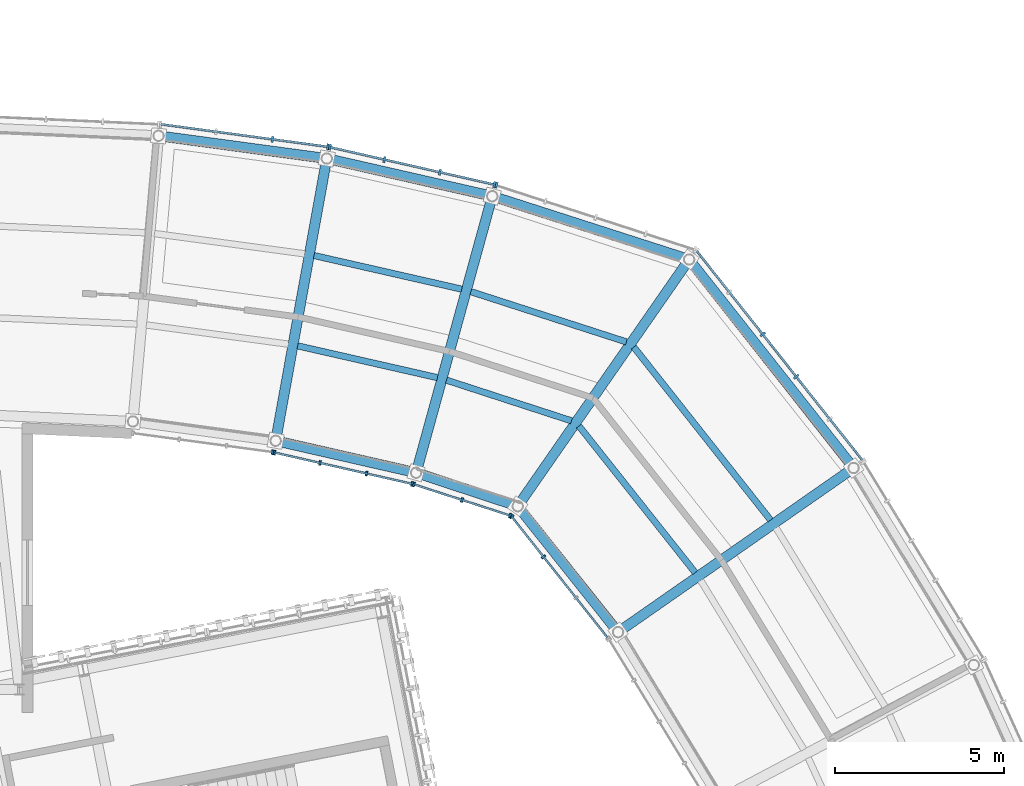
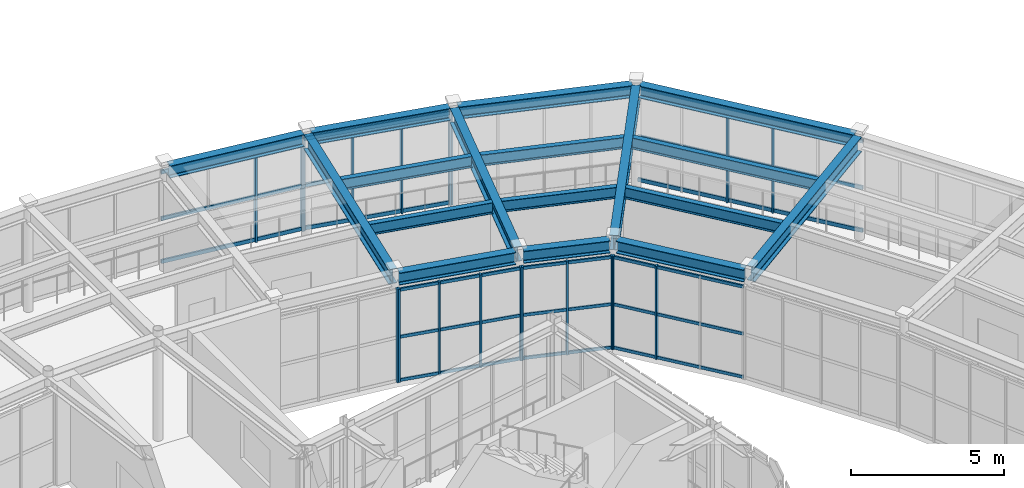
# One storey, part 48 of 103: 37 members, 17 beams, 8 elements without a shape of their own.
"""IFC4 building model written with IfcOpenShell, lengths in metres."""

from ifc_helpers import new_model, si_unit, direction, frame, origin, origin_2d, place, context, subcontext, project, spatial, rectangle, i_section, extrude, material, material_profile, profile_set, type_object, element, aggregate, save


model = new_model("IFC4")

# Units and contexts
model_context = context("Model", 3, precision=1e-05, world=origin(), true_north=direction((0.0, 1.0)))
body_context = subcontext(model_context, "Body", "Model", "MODEL_VIEW")
ifc_project = project(units=[si_unit("LENGTHUNIT", "METRE"), si_unit("AREAUNIT", "SQUARE_METRE"), si_unit("VOLUMEUNIT", "CUBIC_METRE"), si_unit("PLANEANGLEUNIT", "RADIAN"), si_unit("MASSUNIT", "GRAM", prefix="KILO")], contexts=[model_context])

# Site, building, storey
site_placement = place(None, origin())
site = spatial("IfcSite", under=ifc_project, at=site_placement, CompositionType="ELEMENT")
building_placement = place(site_placement, origin())
building = spatial("IfcBuilding", under=site, at=building_placement, Name="Varnklinge Art Gallery", CompositionType="ELEMENT")
storey_placement = place(building_placement, frame((0.0, 0.0, 5.10009765625)))
storey = spatial("IfcBuildingStorey", under=building, at=storey_placement, Name="L01", CompositionType="ELEMENT", Elevation=5.10009765625)

# Beams
ifc_material_1 = material(Name="Steel S355", Category="steel")
ifc_material_profile_1 = material_profile(ifc_material_1, i_section(OverallWidth=0.300048828125, OverallDepth=0.590087890625, WebThickness=0.012939453125, FlangeThickness=0.02490234375, FilletRadius=0.027099609375, at=origin_2d()), Name="HEA 600")
ifc_profile_set_1 = profile_set([ifc_material_profile_1], Name="Steel S355")
beam_type_1 = type_object("IfcBeamType", Name="BM-06", PredefinedType="BEAM", material=ifc_profile_set_1)
beam_1_placement = place(storey_placement, frame((101.03515625, 87.0947265625, 3.885009765625), z_axis=(-0.820324852304, -0.571897837635, 0.0), x_axis=(0.571897837635, -0.820324852304, 0.0)))
element("IfcBeam", 1, at=beam_1_placement, inside=storey, type_object=beam_type_1, Name="L01 BM-06 BM-V2-L02-R12", PredefinedType="BEAM", context=body_context, shape_type="SweptSolid", body=[
    extrude(i_section(OverallWidth=0.300048828125, OverallDepth=0.590087890625, WebThickness=0.012939453125, FlangeThickness=0.02490234375, FilletRadius=0.027099609375, at=origin_2d()), origin(), (0.0, 0.0, 1.0), 8.2373046875),
])
beam_2_placement = place(storey_placement, frame((96.19091796875, 93.244873046875, 3.885009765625), z_axis=(-0.570588727281, -0.821235961402, 0.0), x_axis=(0.821235961402, -0.570588727281, 0.0)))
element("IfcBeam", 2, at=beam_2_placement, inside=storey, type_object=beam_type_1, Name="L01 BM-06 BM-V2-L02-R13", PredefinedType="BEAM", context=body_context, shape_type="SweptSolid", body=[
    extrude(i_section(OverallWidth=0.300048828125, OverallDepth=0.590087890625, WebThickness=0.012939453125, FlangeThickness=0.02490234375, FilletRadius=0.027099609375, at=origin_2d()), origin(), (0.0, 0.0, 1.0), 8.6318359375),
])
for number, where, z_axis, x_axis, name in (
    (3, (90.392578125, 95.102294921875, 3.885009765625), (-0.26537851046, -0.96414430776, 0.0), (0.96414430776, -0.26537851046, 0.0), "L01 BM-06 BM-V2-L02-R14"),
    (4, (85.495361328125, 96.21728515625, 3.885009765625), (-0.178151776958, -0.984003020507, 0.0), (0.984003020507, -0.178151776958, 0.0), "L01 BM-06 BM-V2-L02-R15"),
):
    element("IfcBeam", number, at=place(storey_placement, frame(where, z_axis=z_axis, x_axis=x_axis)), inside=storey, type_object=beam_type_1, Name=name, PredefinedType="BEAM", context=body_context, shape_type="SweptSolid", body=[
        extrude(i_section(OverallWidth=0.300048828125, OverallDepth=0.590087890625, WebThickness=0.012939453125, FlangeThickness=0.02490234375, FilletRadius=0.027099609375, at=origin_2d()), origin(), (0.0, 0.0, 1.0), 8.229248046875),
    ])
ifc_material_2 = material(Name="Steel S355", Category="steel")
ifc_material_profile_2 = material_profile(ifc_material_2, i_section(OverallWidth=0.18994140625, OverallDepth=0.449951171875, WebThickness=0.009521484375, FlangeThickness=0.0146484375, FilletRadius=0.02099609375, at=origin_2d()), Name="IPE 450")
ifc_profile_set_2 = profile_set([ifc_material_profile_2], Name="Steel S355")
beam_type_2 = type_object("IfcBeamType", Name="JST-04", PredefinedType="JOIST", material=ifc_profile_set_2)
beam_3_placement = place(storey_placement, frame((98.6875, 85.62841796875, 3.954833984375), z_axis=(-0.620207823033, 0.784437541331, 0.0), x_axis=(-0.784437541331, -0.620207823033, 0.0)))
element("IfcBeam", 5, at=beam_3_placement, inside=storey, type_object=beam_type_2, Name="L01 JST-04 JST-V2-L02-12-1", PredefinedType="JOIST", context=body_context, shape_type="SweptSolid", body=[
    extrude(i_section(OverallWidth=0.18994140625, OverallDepth=0.449951171875, WebThickness=0.009521484375, FlangeThickness=0.0146484375, FilletRadius=0.02099609375, at=origin_2d()), origin(), (0.0, 0.0, 1.0), 6.5439453125),
])
beam_4_placement = place(storey_placement, frame((96.45166015625, 84.069580078125, 3.954833984375), z_axis=(-0.621380748712, 0.783508752427, 0.0), x_axis=(-0.783508752427, -0.621380748712, 0.0)))
element("IfcBeam", 6, at=beam_4_placement, inside=storey, type_object=beam_type_2, Name="L01 JST-04 JST-V2-L02-12-2", PredefinedType="JOIST", context=body_context, shape_type="SweptSolid", body=[
    extrude(i_section(OverallWidth=0.18994140625, OverallDepth=0.449951171875, WebThickness=0.009521484375, FlangeThickness=0.0146484375, FilletRadius=0.02099609375, at=origin_2d()), origin(), (0.0, 0.0, 1.0), 5.552001953125),
])
beam_5_placement = place(storey_placement, frame((94.40869140625, 90.914306640625, 3.954833984375), z_axis=(-0.951573262441, 0.307422065259, 0.0), x_axis=(-0.307422065259, -0.951573262441, 0.0)))
element("IfcBeam", 7, at=beam_5_placement, inside=storey, type_object=beam_type_2, Name="L01 JST-04 JST-V2-L02-13-1", PredefinedType="JOIST", context=body_context, shape_type="SweptSolid", body=[
    extrude(i_section(OverallWidth=0.18994140625, OverallDepth=0.449951171875, WebThickness=0.009521484375, FlangeThickness=0.0146484375, FilletRadius=0.02099609375, at=origin_2d()), origin(), (0.0, 0.0, 1.0), 4.848388671875),
])
beam_6_placement = place(storey_placement, frame((92.781494140625, 88.57275390625, 3.954833984375), z_axis=(-0.950949393045, 0.309346491603, 0.0), x_axis=(-0.309346491603, -0.950949393045, 0.0)))
element("IfcBeam", 8, at=beam_6_placement, inside=storey, type_object=beam_type_2, Name="L01 JST-04 JST-V2-L02-13-2", PredefinedType="JOIST", context=body_context, shape_type="SweptSolid", body=[
    extrude(i_section(OverallWidth=0.18994140625, OverallDepth=0.449951171875, WebThickness=0.009521484375, FlangeThickness=0.0146484375, FilletRadius=0.02099609375, at=origin_2d()), origin(), (0.0, 0.0, 1.0), 3.900390625),
])
beam_7_placement = place(storey_placement, frame((89.525390625, 92.47900390625, 3.954833984375), z_axis=(-0.975052249235, 0.22197547446, 0.0), x_axis=(-0.22197547446, -0.975052249235, 0.0)))
element("IfcBeam", 9, at=beam_7_placement, inside=storey, type_object=beam_type_2, Name="L01 JST-04 JST-V2-L02-14-1", PredefinedType="JOIST", context=body_context, shape_type="SweptSolid", body=[
    extrude(i_section(OverallWidth=0.18994140625, OverallDepth=0.449951171875, WebThickness=0.009521484375, FlangeThickness=0.0146484375, FilletRadius=0.02099609375, at=origin_2d()), origin(), (0.0, 0.0, 1.0), 4.49609375),
])
beam_8_placement = place(storey_placement, frame((88.802734375, 89.853759765625, 3.954833984375), z_axis=(-0.975058358995, 0.221948634943, 0.0), x_axis=(-0.221948634943, -0.975058358995, 0.0)))
element("IfcBeam", 10, at=beam_8_placement, inside=storey, type_object=beam_type_2, Name="L01 JST-04 JST-V2-L02-14-2", PredefinedType="JOIST", context=body_context, shape_type="SweptSolid", body=[
    extrude(i_section(OverallWidth=0.18994140625, OverallDepth=0.449951171875, WebThickness=0.009521484375, FlangeThickness=0.0146484375, FilletRadius=0.02099609375, at=origin_2d()), origin(), (0.0, 0.0, 1.0), 4.25244140625),
])

# Curtain wall, members
ifc_material_3 = material(Name="Anodised Aluminium", Category="aluminium")
curtain_wall_type_1 = type_object("IfcCurtainWallType", Name="CW-R02", PredefinedType="USERDEFINED", material=ifc_material_3)
curtain_wall_1_placement = place(storey_placement, origin())
curtain_wall_1 = element("IfcCurtainWall", 11, at=curtain_wall_1_placement, inside=storey, type_object=curtain_wall_type_1, Name="L01 Curtain Wall CW-V2O-L01-12", ObjectType="UNITISED CURTAIN WALL", PredefinedType="USERDEFINED")
ifc_material_4 = material(Name="Anodised Aluminium", Category="aluminium")
ifc_material_profile_3 = material_profile(ifc_material_4, rectangle(XDim=0.06494140625, YDim=0.179931640625, at=origin_2d()), Name="ALU 65x180")
ifc_profile_set_3 = profile_set([ifc_material_profile_3], Name="Anodised Aluminium")
member_type_1 = type_object("IfcMemberType", Name="MUL-01", PredefinedType="MULLION", material=ifc_profile_set_3)
member_1_placement = place(storey_placement, frame((99.450439453125, 89.8837890625, 0.0), z_axis=(0.0, 0.0, 1.0), x_axis=(-0.620737354217, 0.784018582101, 0.0)))
member_1 = element("IfcMember", 12, at=member_1_placement, type_object=member_type_1, Name="CW-V2O-L01-12 Mullion 3", PredefinedType="MULLION", context=body_context, shape_type="SweptSolid", body=[
    extrude(rectangle(XDim=0.06494140625, YDim=0.179931640625, at=origin_2d()), origin(), (0.0, 0.0, 1.0), 3.72998046875),
])
member_2_placement = place(storey_placement, frame((98.457275390625, 91.13818359375, 0.0), z_axis=(0.0, 0.0, 1.0), x_axis=(-0.620737354217, 0.784018582101, 0.0)))
member_2 = element("IfcMember", 13, at=member_2_placement, type_object=member_type_1, Name="CW-V2O-L01-12 Mullion 4", PredefinedType="MULLION", context=body_context, shape_type="SweptSolid", body=[
    extrude(rectangle(XDim=0.06494140625, YDim=0.179931640625, at=origin_2d()), origin(), (0.0, 0.0, 1.0), 3.72998046875),
])

# Curtain wall, member
curtain_wall_2_placement = place(storey_placement, origin())
curtain_wall_2 = element("IfcCurtainWall", 14, at=curtain_wall_2_placement, inside=storey, type_object=curtain_wall_type_1, Name="L01 Curtain Wall CW-V2O-L01-13", ObjectType="UNITISED CURTAIN WALL", PredefinedType="USERDEFINED")
member_3_placement = place(storey_placement, frame((90.553466796875, 95.564697265625, 0.0), z_axis=(0.0, 0.0, 1.0), x_axis=(-0.951272019071, 0.30835295642, 0.0)))
member_3 = element("IfcMember", 15, at=member_3_placement, type_object=member_type_1, Name="CW-V2O-L01-13 Mullion 5", PredefinedType="MULLION", context=body_context, shape_type="SweptSolid", body=[
    extrude(rectangle(XDim=0.06494140625, YDim=0.179931640625, at=origin_2d()), origin(), (0.0, 0.0, 1.0), 3.72998046875),
])
aggregate(curtain_wall_2, [member_3])

# Curtain wall, members
ifc_material_5 = material(Name="Anodised Aluminium", Category="aluminium")
curtain_wall_type_2 = type_object("IfcCurtainWallType", Name="CW-R04", PredefinedType="USERDEFINED", material=ifc_material_5)
curtain_wall_3_placement = place(storey_placement, origin())
curtain_wall_3 = element("IfcCurtainWall", 16, at=curtain_wall_3_placement, inside=storey, type_object=curtain_wall_type_2, Name="L01 Curtain Wall CW-V2O-L01-14", ObjectType="UNITISED CURTAIN WALL", PredefinedType="USERDEFINED")
member_4_placement = place(storey_placement, frame((90.490966796875, 95.58203125, 0.0), z_axis=(0.0, 0.0, 1.0), x_axis=(-0.975071959883, 0.221888875454, 0.0)))
member_4 = element("IfcMember", 17, at=member_4_placement, type_object=member_type_1, Name="CW-V2O-L01-14 Mullion 1", PredefinedType="MULLION", context=body_context, shape_type="SweptSolid", body=[
    extrude(rectangle(XDim=0.06494140625, YDim=0.179931640625, at=origin_2d()), origin(), (0.0, 0.0, 1.0), 3.72998046875),
])
member_5_placement = place(storey_placement, frame((88.8759765625, 95.94970703125, 0.0), z_axis=(0.0, 0.0, 1.0), x_axis=(-0.975071959883, 0.221888875454, 0.0)))
member_5 = element("IfcMember", 18, at=member_5_placement, type_object=member_type_1, Name="CW-V2O-L01-14 Mullion 2", PredefinedType="MULLION", context=body_context, shape_type="SweptSolid", body=[
    extrude(rectangle(XDim=0.06494140625, YDim=0.179931640625, at=origin_2d()), origin(), (0.0, 0.0, 1.0), 3.72998046875),
])
member_6_placement = place(storey_placement, frame((87.229248046875, 96.324462890625, 0.0), z_axis=(0.0, 0.0, 1.0), x_axis=(-0.975071959883, 0.221888875454, 0.0)))
member_6 = element("IfcMember", 19, at=member_6_placement, type_object=member_type_1, Name="CW-V2O-L01-14 Mullion 3", PredefinedType="MULLION", context=body_context, shape_type="SweptSolid", body=[
    extrude(rectangle(XDim=0.06494140625, YDim=0.179931640625, at=origin_2d()), origin(), (0.0, 0.0, 1.0), 3.72998046875),
])
member_7_placement = place(storey_placement, frame((85.6142578125, 96.692138671875, 0.0), z_axis=(0.0, 0.0, 1.0), x_axis=(-0.975071959883, 0.221888875454, 0.0)))
member_7 = element("IfcMember", 20, at=member_7_placement, type_object=member_type_1, Name="CW-V2O-L01-14 Mullion 4", PredefinedType="MULLION", context=body_context, shape_type="SweptSolid", body=[
    extrude(rectangle(XDim=0.06494140625, YDim=0.179931640625, at=origin_2d()), origin(), (0.0, 0.0, 1.0), 3.72998046875),
])

curtain_wall_4_placement = place(storey_placement, origin())
curtain_wall_4 = element("IfcCurtainWall", 21, at=curtain_wall_4_placement, inside=storey, type_object=curtain_wall_type_2, Name="L01 Curtain Wall CW-V2O-L01-15", ObjectType="UNITISED CURTAIN WALL", PredefinedType="USERDEFINED")
member_8_placement = place(storey_placement, frame((85.55029296875, 96.703857421875, 0.0), z_axis=(0.0, 0.0, 1.0), x_axis=(-0.990983199715, 0.133986185418, 0.0)))
member_8 = element("IfcMember", 22, at=member_8_placement, type_object=member_type_1, Name="CW-V2O-L01-15 Mullion 1", PredefinedType="MULLION", context=body_context, shape_type="SweptSolid", body=[
    extrude(rectangle(XDim=0.06494140625, YDim=0.179931640625, at=origin_2d()), origin(), (0.0, 0.0, 1.0), 3.72998046875),
])
member_9_placement = place(storey_placement, frame((83.908935546875, 96.925537109375, 0.0), z_axis=(0.0, 0.0, 1.0), x_axis=(-0.990983199715, 0.133986185418, 0.0)))
member_9 = element("IfcMember", 23, at=member_9_placement, type_object=member_type_1, Name="CW-V2O-L01-15 Mullion 2", PredefinedType="MULLION", context=body_context, shape_type="SweptSolid", body=[
    extrude(rectangle(XDim=0.06494140625, YDim=0.179931640625, at=origin_2d()), origin(), (0.0, 0.0, 1.0), 3.72998046875),
])

curtain_wall_5_placement = place(storey_placement, origin())
curtain_wall_5 = element("IfcCurtainWall", 24, at=curtain_wall_5_placement, inside=storey, type_object=curtain_wall_type_2, Name="L01 Curtain Wall CW-V2I-L01-12", ObjectType="UNITISED CURTAIN WALL", PredefinedType="USERDEFINED")
ifc_material_6 = material(Name="Anodised Aluminium", Category="aluminium")
ifc_material_profile_4 = material_profile(ifc_material_6, rectangle(XDim=0.06005859375, YDim=0.139892578125, at=origin_2d()), Name="ALU 60x140")
ifc_profile_set_4 = profile_set([ifc_material_profile_4], Name="Anodised Aluminium")
member_type_2 = type_object("IfcMemberType", Name="MUL-03", PredefinedType="MULLION", material=ifc_profile_set_4)
member_10_placement = place(storey_placement, frame((91.004638671875, 85.72998046875, 0.0), z_axis=(0.0, 0.0, 1.0), x_axis=(0.620737354217, -0.784018582101, 0.0)))
member_10 = element("IfcMember", 25, at=member_10_placement, type_object=member_type_2, Name="CW-V2I-L01-12 Mullion 1", PredefinedType="MULLION", context=body_context, shape_type="SweptSolid", body=[
    extrude(rectangle(XDim=0.06005859375, YDim=0.139892578125, at=origin_2d()), origin(), (0.0, 0.0, 1.0), 3.72998046875),
])
member_11_placement = place(storey_placement, frame((91.94921875, 84.536865234375, 0.0), z_axis=(0.0, 0.0, 1.0), x_axis=(0.620737354217, -0.784018582101, 0.0)))
member_11 = element("IfcMember", 26, at=member_11_placement, type_object=member_type_2, Name="CW-V2I-L01-12 Mullion 2", PredefinedType="MULLION", context=body_context, shape_type="SweptSolid", body=[
    extrude(rectangle(XDim=0.06005859375, YDim=0.139892578125, at=origin_2d()), origin(), (0.0, 0.0, 1.0), 3.72998046875),
])

curtain_wall_6_placement = place(storey_placement, origin())
curtain_wall_6 = element("IfcCurtainWall", 27, at=curtain_wall_6_placement, inside=storey, type_object=curtain_wall_type_2, Name="L01 Curtain Wall CW-V2I-L01-13", ObjectType="UNITISED CURTAIN WALL", PredefinedType="USERDEFINED")
member_12_placement = place(storey_placement, frame((88.107177734375, 86.6865234375, 0.0), z_axis=(0.0, 0.0, 1.0), x_axis=(0.951272019071, -0.30835295642, 0.0)))
member_12 = element("IfcMember", 28, at=member_12_placement, type_object=member_type_2, Name="CW-V2I-L01-13 Mullion 1", PredefinedType="MULLION", context=body_context, shape_type="SweptSolid", body=[
    extrude(rectangle(XDim=0.06005859375, YDim=0.139892578125, at=origin_2d()), origin(), (0.0, 0.0, 1.0), 3.72998046875),
])
member_13_placement = place(storey_placement, frame((89.5322265625, 86.224609375, 0.0), z_axis=(0.0, 0.0, 1.0), x_axis=(0.951272019071, -0.30835295642, 0.0)))
member_13 = element("IfcMember", 29, at=member_13_placement, type_object=member_type_2, Name="CW-V2I-L01-13 Mullion 2", PredefinedType="MULLION", context=body_context, shape_type="SweptSolid", body=[
    extrude(rectangle(XDim=0.06005859375, YDim=0.139892578125, at=origin_2d()), origin(), (0.0, 0.0, 1.0), 3.72998046875),
])
member_14_placement = place(storey_placement, frame((90.95751953125, 85.7626953125, 0.0), z_axis=(0.0, 0.0, 1.0), x_axis=(0.951272019071, -0.30835295642, 0.0)))
member_14 = element("IfcMember", 30, at=member_14_placement, type_object=member_type_2, Name="CW-V2I-L01-13 Mullion 3", PredefinedType="MULLION", context=body_context, shape_type="SweptSolid", body=[
    extrude(rectangle(XDim=0.06005859375, YDim=0.139892578125, at=origin_2d()), origin(), (0.0, 0.0, 1.0), 3.72998046875),
])

curtain_wall_7_placement = place(storey_placement, origin())
curtain_wall_7 = element("IfcCurtainWall", 31, at=curtain_wall_7_placement, inside=storey, type_object=curtain_wall_type_2, Name="L01 Curtain Wall CW-V2I-L01-14", ObjectType="UNITISED CURTAIN WALL", PredefinedType="USERDEFINED")
member_15_placement = place(storey_placement, frame((83.971435546875, 87.630615234375, 0.0), z_axis=(0.0, 0.0, 1.0), x_axis=(0.975071959883, -0.221888875454, 0.0)))
member_15 = element("IfcMember", 32, at=member_15_placement, type_object=member_type_2, Name="CW-V2I-L01-14 Mullion 1", PredefinedType="MULLION", context=body_context, shape_type="SweptSolid", body=[
    extrude(rectangle(XDim=0.06005859375, YDim=0.139892578125, at=origin_2d()), origin(), (0.0, 0.0, 1.0), 3.72998046875),
])
member_16_placement = place(storey_placement, frame((85.32080078125, 87.323486328125, 0.0), z_axis=(0.0, 0.0, 1.0), x_axis=(0.975071959883, -0.221888875454, 0.0)))
member_16 = element("IfcMember", 33, at=member_16_placement, type_object=member_type_2, Name="CW-V2I-L01-14 Mullion 2", PredefinedType="MULLION", context=body_context, shape_type="SweptSolid", body=[
    extrude(rectangle(XDim=0.06005859375, YDim=0.139892578125, at=origin_2d()), origin(), (0.0, 0.0, 1.0), 3.72998046875),
])
member_17_placement = place(storey_placement, frame((86.69970703125, 87.009765625, 0.0), z_axis=(0.0, 0.0, 1.0), x_axis=(0.975071959883, -0.221888875454, 0.0)))
member_17 = element("IfcMember", 34, at=member_17_placement, type_object=member_type_2, Name="CW-V2I-L01-14 Mullion 3", PredefinedType="MULLION", context=body_context, shape_type="SweptSolid", body=[
    extrude(rectangle(XDim=0.06005859375, YDim=0.139892578125, at=origin_2d()), origin(), (0.0, 0.0, 1.0), 3.72998046875),
])
member_18_placement = place(storey_placement, frame((88.04931640625, 86.702392578125, 0.0), z_axis=(0.0, 0.0, 1.0), x_axis=(0.975071959883, -0.221888875454, 0.0)))
member_18 = element("IfcMember", 35, at=member_18_placement, type_object=member_type_2, Name="CW-V2I-L01-14 Mullion 4", PredefinedType="MULLION", context=body_context, shape_type="SweptSolid", body=[
    extrude(rectangle(XDim=0.06005859375, YDim=0.139892578125, at=origin_2d()), origin(), (0.0, 0.0, 1.0), 3.72998046875),
])

# Curtain wall, member
curtain_wall_8_placement = place(storey_placement, origin())
curtain_wall_8 = element("IfcCurtainWall", 36, at=curtain_wall_8_placement, inside=storey, type_object=curtain_wall_type_2, Name="L01 Curtain Wall CW-V2I-L01-15", ObjectType="UNITISED CURTAIN WALL", PredefinedType="USERDEFINED")
member_19_placement = place(storey_placement, frame((83.912353515625, 87.641357421875, 0.0), z_axis=(0.0, 0.0, 1.0), x_axis=(0.990983199715, -0.133986185418, 0.0)))
member_19 = element("IfcMember", 37, at=member_19_placement, type_object=member_type_2, Name="CW-V2I-L01-15 Mullion 4", PredefinedType="MULLION", context=body_context, shape_type="SweptSolid", body=[
    extrude(rectangle(XDim=0.06005859375, YDim=0.139892578125, at=origin_2d()), origin(), (0.0, 0.0, 1.0), 3.72998046875),
])
aggregate(curtain_wall_8, [member_19])

# Beams
ifc_material_7 = material(Name="Steel S355", Category="steel")
ifc_material_profile_5 = material_profile(ifc_material_7, i_section(OverallWidth=0.300048828125, OverallDepth=0.489990234375, WebThickness=0.011962890625, FlangeThickness=0.02294921875, FilletRadius=0.027099609375, at=origin_2d()), Name="HEA 500")
ifc_profile_set_5 = profile_set([ifc_material_profile_5], Name="Steel S355")
beam_type_3 = type_object("IfcBeamType", Name="SPB-01", PredefinedType="SPANDREL", material=ifc_profile_set_5)
beam_9_placement = place(storey_placement, frame((101.063232421875, 87.28466796875, 3.934814453125), z_axis=(-0.619327516232, 0.785132745233, 0.0), x_axis=(-0.785132745233, -0.619327516232, 0.0)))
element("IfcBeam", 38, at=beam_9_placement, inside=storey, type_object=beam_type_3, Name="L01 SPB-01 BM-V2-L02-O12", PredefinedType="SPANDREL", context=body_context, shape_type="SweptSolid", body=[
    extrude(i_section(OverallWidth=0.300048828125, OverallDepth=0.489990234375, WebThickness=0.011962890625, FlangeThickness=0.02294921875, FilletRadius=0.027099609375, at=origin_2d()), origin(), (0.0, 0.0, 1.0), 7.597900390625),
])
beam_10_placement = place(storey_placement, frame((94.075927734375, 82.413330078125, 3.934814453125), z_axis=(-0.623138348458, 0.782111628018, 0.0), x_axis=(-0.782111628018, -0.623138348458, 0.0)))
element("IfcBeam", 39, at=beam_10_placement, inside=storey, type_object=beam_type_3, Name="L01 SPB-01 BM-V2-L02-I12", PredefinedType="SPANDREL", context=body_context, shape_type="SweptSolid", body=[
    extrude(i_section(OverallWidth=0.300048828125, OverallDepth=0.489990234375, WebThickness=0.011962890625, FlangeThickness=0.02294921875, FilletRadius=0.027099609375, at=origin_2d()), origin(), (0.0, 0.0, 1.0), 4.498046875),
])
beam_11_placement = place(storey_placement, frame((96.1376953125, 93.402587890625, 3.934814453125), z_axis=(-0.952022487869, 0.306028074843, 0.0), x_axis=(-0.306028074843, -0.952022487869, 0.0)))
element("IfcBeam", 40, at=beam_11_placement, inside=storey, type_object=beam_type_3, Name="L01 SPB-01 BM-V2-L02-O13", PredefinedType="SPANDREL", context=body_context, shape_type="SweptSolid", body=[
    extrude(i_section(OverallWidth=0.300048828125, OverallDepth=0.489990234375, WebThickness=0.011962890625, FlangeThickness=0.02294921875, FilletRadius=0.027099609375, at=origin_2d()), origin(), (0.0, 0.0, 1.0), 5.855712890625),
])
beam_12_placement = place(storey_placement, frame((91.052734375, 86.084716796875, 3.934814453125), z_axis=(-0.94984963517, 0.312707004347, 0.0), x_axis=(-0.312707004347, -0.94984963517, 0.0)))
element("IfcBeam", 41, at=beam_12_placement, inside=storey, type_object=beam_type_3, Name="L01 SPB-01 BM-V2-L02-I13", PredefinedType="SPANDREL", context=body_context, shape_type="SweptSolid", body=[
    extrude(i_section(OverallWidth=0.300048828125, OverallDepth=0.489990234375, WebThickness=0.011962890625, FlangeThickness=0.02294921875, FilletRadius=0.027099609375, at=origin_2d()), origin(), (0.0, 0.0, 1.0), 2.893310546875),
])
beam_13_placement = place(storey_placement, frame((90.293212890625, 95.2685546875, 3.934814453125), z_axis=(-0.975056640979, 0.221956182347, 0.0), x_axis=(-0.221956182347, -0.975056640979, 0.0)))
element("IfcBeam", 42, at=beam_13_placement, inside=storey, type_object=beam_type_3, Name="L01 SPB-01 BM-V2-L02-O14", PredefinedType="SPANDREL", context=body_context, shape_type="SweptSolid", body=[
    extrude(i_section(OverallWidth=0.300048828125, OverallDepth=0.489990234375, WebThickness=0.011962890625, FlangeThickness=0.02294921875, FilletRadius=0.027099609375, at=origin_2d()), origin(), (0.0, 0.0, 1.0), 4.755126953125),
])
beam_14_placement = place(storey_placement, frame((88.034912109375, 87.064208984375, 3.934814453125), z_axis=(-0.975053526144, 0.221969865419, 0.0), x_axis=(-0.221969865419, -0.975053526144, 0.0)))
element("IfcBeam", 43, at=beam_14_placement, inside=storey, type_object=beam_type_3, Name="L01 SPB-01 BM-V2-L02-I14", PredefinedType="SPANDREL", context=body_context, shape_type="SweptSolid", body=[
    extrude(i_section(OverallWidth=0.300048828125, OverallDepth=0.489990234375, WebThickness=0.011962890625, FlangeThickness=0.02294921875, FilletRadius=0.027099609375, at=origin_2d()), origin(), (0.0, 0.0, 1.0), 3.99365234375),
])
beam_15_placement = place(storey_placement, frame((85.381591796875, 96.373779296875, 3.934814453125), z_axis=(-0.990995928782, 0.133892005505, 0.0), x_axis=(-0.133892005505, -0.990995928782, 0.0)))
element("IfcBeam", 44, at=beam_15_placement, inside=storey, type_object=beam_type_3, Name="L01 SPB-01 BM-V2-L02-O15", PredefinedType="SPANDREL", context=body_context, shape_type="SweptSolid", body=[
    extrude(i_section(OverallWidth=0.300048828125, OverallDepth=0.489990234375, WebThickness=0.011962890625, FlangeThickness=0.02294921875, FilletRadius=0.027099609375, at=origin_2d()), origin(), (0.0, 0.0, 1.0), 4.75537109375),
])

# Member
ifc_material_8 = material(Name="Anodised Aluminium", Category="aluminium")
ifc_material_profile_6 = material_profile(ifc_material_8, rectangle(XDim=0.06494140625, YDim=0.14990234375, at=origin_2d()), Name="ALU 65x150")
ifc_profile_set_6 = profile_set([ifc_material_profile_6], Name="Anodised Aluminium")
member_type_3 = type_object("IfcMemberType", Name="TRN-01", PredefinedType="USERDEFINED", material=ifc_profile_set_6)
member_20_placement = place(storey_placement, frame((101.416748046875, 87.400390625, 0.074951171875), z_axis=(-0.620773865462, 0.783989673376, 0.0), x_axis=(-0.783989673376, -0.620773865462, 0.0)))
member_20 = element("IfcMember", 45, at=member_20_placement, type_object=member_type_3, Name="CW-V2O-L01-12 Transom 1", ObjectType="TRANSOM", PredefinedType="USERDEFINED", context=body_context, shape_type="SweptSolid", body=[
    extrude(rectangle(XDim=0.06494140625, YDim=0.14990234375, at=origin_2d()), origin(), (0.0, 0.0, 1.0), 7.935302734375),
])

member_21_placement = place(storey_placement, frame((101.416748046875, 87.400390625, 1.790283203125), z_axis=(-0.620773865462, 0.783989673376, 0.0), x_axis=(-0.783989673376, -0.620773865462, 0.0)))
member_21 = element("IfcMember", 46, at=member_21_placement, type_object=member_type_3, Name="CW-V2O-L01-12 Transom 2", ObjectType="TRANSOM", PredefinedType="USERDEFINED", context=body_context, shape_type="SweptSolid", body=[
    extrude(rectangle(XDim=0.06494140625, YDim=0.14990234375, at=origin_2d()), origin(), (0.0, 0.0, 1.0), 7.935302734375),
])

member_22_placement = place(storey_placement, frame((101.416748046875, 87.400390625, 3.65478515625), z_axis=(-0.620773865462, 0.783989673376, 0.0), x_axis=(-0.783989673376, -0.620773865462, 0.0)))
member_22 = element("IfcMember", 47, at=member_22_placement, type_object=member_type_3, Name="CW-V2O-L01-12 Transom 3", ObjectType="TRANSOM", PredefinedType="USERDEFINED", context=body_context, shape_type="SweptSolid", body=[
    extrude(rectangle(XDim=0.06494140625, YDim=0.14990234375, at=origin_2d()), origin(), (0.0, 0.0, 1.0), 7.935302734375),
])

aggregate(curtain_wall_1, [member_1, member_2, member_20, member_21, member_22])

member_23_placement = place(storey_placement, frame((90.490966796875, 95.58203125, 0.074951171875), z_axis=(-0.975056556425, 0.221956553795, 0.0), x_axis=(-0.221956553795, -0.975056556425, 0.0)))
member_23 = element("IfcMember", 48, at=member_23_placement, type_object=member_type_3, Name="CW-V2O-L01-14 Transom 1", ObjectType="TRANSOM", PredefinedType="USERDEFINED", context=body_context, shape_type="SweptSolid", body=[
    extrude(rectangle(XDim=0.06494140625, YDim=0.14990234375, at=origin_2d()), origin(), (0.0, 0.0, 1.0), 5.00146484375),
])

member_24_placement = place(storey_placement, frame((90.490966796875, 95.58203125, 1.790283203125), z_axis=(-0.975056556425, 0.221956553795, 0.0), x_axis=(-0.221956553795, -0.975056556425, 0.0)))
member_24 = element("IfcMember", 49, at=member_24_placement, type_object=member_type_3, Name="CW-V2O-L01-14 Transom 2", ObjectType="TRANSOM", PredefinedType="USERDEFINED", context=body_context, shape_type="SweptSolid", body=[
    extrude(rectangle(XDim=0.06494140625, YDim=0.14990234375, at=origin_2d()), origin(), (0.0, 0.0, 1.0), 5.00146484375),
])

member_25_placement = place(storey_placement, frame((90.490966796875, 95.58203125, 3.65478515625), z_axis=(-0.975056556425, 0.221956553795, 0.0), x_axis=(-0.221956553795, -0.975056556425, 0.0)))
member_25 = element("IfcMember", 50, at=member_25_placement, type_object=member_type_3, Name="CW-V2O-L01-14 Transom 3", ObjectType="TRANSOM", PredefinedType="USERDEFINED", context=body_context, shape_type="SweptSolid", body=[
    extrude(rectangle(XDim=0.06494140625, YDim=0.14990234375, at=origin_2d()), origin(), (0.0, 0.0, 1.0), 5.00146484375),
])

aggregate(curtain_wall_3, [member_4, member_5, member_6, member_7, member_23, member_24, member_25])

member_26_placement = place(storey_placement, frame((85.55029296875, 96.703857421875, 0.074951171875), z_axis=(-0.990995756653, 0.133893279504, 0.0), x_axis=(-0.133893279504, -0.990995756653, 0.0)))
member_26 = element("IfcMember", 51, at=member_26_placement, type_object=member_type_3, Name="CW-V2O-L01-15 Transom 1", ObjectType="TRANSOM", PredefinedType="USERDEFINED", context=body_context, shape_type="SweptSolid", body=[
    extrude(rectangle(XDim=0.06494140625, YDim=0.14990234375, at=origin_2d()), origin(), (0.0, 0.0, 1.0), 5.00146484375),
])

member_27_placement = place(storey_placement, frame((85.55029296875, 96.703857421875, 1.790283203125), z_axis=(-0.990995756653, 0.133893279504, 0.0), x_axis=(-0.133893279504, -0.990995756653, 0.0)))
member_27 = element("IfcMember", 52, at=member_27_placement, type_object=member_type_3, Name="CW-V2O-L01-15 Transom 2", ObjectType="TRANSOM", PredefinedType="USERDEFINED", context=body_context, shape_type="SweptSolid", body=[
    extrude(rectangle(XDim=0.06494140625, YDim=0.14990234375, at=origin_2d()), origin(), (0.0, 0.0, 1.0), 5.00146484375),
])

member_28_placement = place(storey_placement, frame((85.55029296875, 96.703857421875, 3.65478515625), z_axis=(-0.990995756653, 0.133893279504, 0.0), x_axis=(-0.133893279504, -0.990995756653, 0.0)))
member_28 = element("IfcMember", 53, at=member_28_placement, type_object=member_type_3, Name="CW-V2O-L01-15 Transom 3", ObjectType="TRANSOM", PredefinedType="USERDEFINED", context=body_context, shape_type="SweptSolid", body=[
    extrude(rectangle(XDim=0.06494140625, YDim=0.14990234375, at=origin_2d()), origin(), (0.0, 0.0, 1.0), 5.00146484375),
])

aggregate(curtain_wall_4, [member_8, member_9, member_26, member_27, member_28])

ifc_material_9 = material(Name="Anodised Aluminium", Category="aluminium")
ifc_material_profile_7 = material_profile(ifc_material_9, rectangle(XDim=0.06005859375, YDim=0.1201171875, at=origin_2d()), Name="ALU 60x120")
ifc_profile_set_7 = profile_set([ifc_material_profile_7], Name="Anodised Aluminium")
member_type_4 = type_object("IfcMemberType", Name="TRN-02", PredefinedType="USERDEFINED", material=ifc_profile_set_7)
member_29_placement = place(storey_placement, frame((91.004638671875, 85.72998046875, 0.059814453125), z_axis=(0.620780504553, -0.783984416405, 0.0), x_axis=(0.783984416405, 0.620780504553, 0.0)))
member_29 = element("IfcMember", 54, at=member_29_placement, type_object=member_type_4, Name="CW-V2I-L01-12 Transom 1", ObjectType="TRANSOM", PredefinedType="USERDEFINED", context=body_context, shape_type="SweptSolid", body=[
    extrude(rectangle(XDim=0.06005859375, YDim=0.1201171875, at=origin_2d()), origin(), (0.0, 0.0, 1.0), 4.595458984375),
])

member_30_placement = place(storey_placement, frame((91.004638671875, 85.72998046875, 1.790283203125), z_axis=(0.620780504553, -0.783984416405, 0.0), x_axis=(0.783984416405, 0.620780504553, 0.0)))
member_30 = element("IfcMember", 55, at=member_30_placement, type_object=member_type_4, Name="CW-V2I-L01-12 Transom 2", ObjectType="TRANSOM", PredefinedType="USERDEFINED", context=body_context, shape_type="SweptSolid", body=[
    extrude(rectangle(XDim=0.06005859375, YDim=0.1201171875, at=origin_2d()), origin(), (0.0, 0.0, 1.0), 4.595458984375),
])

member_31_placement = place(storey_placement, frame((91.004638671875, 85.72998046875, 3.669921875), z_axis=(0.620780504553, -0.783984416405, 0.0), x_axis=(0.783984416405, 0.620780504553, 0.0)))
member_31 = element("IfcMember", 56, at=member_31_placement, type_object=member_type_4, Name="CW-V2I-L01-12 Transom 3", ObjectType="TRANSOM", PredefinedType="USERDEFINED", context=body_context, shape_type="SweptSolid", body=[
    extrude(rectangle(XDim=0.06005859375, YDim=0.1201171875, at=origin_2d()), origin(), (0.0, 0.0, 1.0), 4.595458984375),
])

aggregate(curtain_wall_5, [member_10, member_11, member_29, member_30, member_31])

member_32_placement = place(storey_placement, frame((88.107177734375, 86.6865234375, 0.059814453125), z_axis=(0.9512822555, -0.308321375144, 0.0), x_axis=(0.308321375144, 0.9512822555, 0.0)))
member_32 = element("IfcMember", 57, at=member_32_placement, type_object=member_type_4, Name="CW-V2I-L01-13 Transom 1", ObjectType="TRANSOM", PredefinedType="USERDEFINED", context=body_context, shape_type="SweptSolid", body=[
    extrude(rectangle(XDim=0.06005859375, YDim=0.1201171875, at=origin_2d()), origin(), (0.0, 0.0, 1.0), 2.996337890625),
])

member_33_placement = place(storey_placement, frame((88.107177734375, 86.6865234375, 1.790283203125), z_axis=(0.9512822555, -0.308321375144, 0.0), x_axis=(0.308321375144, 0.9512822555, 0.0)))
member_33 = element("IfcMember", 58, at=member_33_placement, type_object=member_type_4, Name="CW-V2I-L01-13 Transom 2", ObjectType="TRANSOM", PredefinedType="USERDEFINED", context=body_context, shape_type="SweptSolid", body=[
    extrude(rectangle(XDim=0.06005859375, YDim=0.1201171875, at=origin_2d()), origin(), (0.0, 0.0, 1.0), 2.996337890625),
])

member_34_placement = place(storey_placement, frame((88.107177734375, 86.6865234375, 3.669921875), z_axis=(0.9512822555, -0.308321375144, 0.0), x_axis=(0.308321375144, 0.9512822555, 0.0)))
member_34 = element("IfcMember", 59, at=member_34_placement, type_object=member_type_4, Name="CW-V2I-L01-13 Transom 3", ObjectType="TRANSOM", PredefinedType="USERDEFINED", context=body_context, shape_type="SweptSolid", body=[
    extrude(rectangle(XDim=0.06005859375, YDim=0.1201171875, at=origin_2d()), origin(), (0.0, 0.0, 1.0), 2.996337890625),
])

aggregate(curtain_wall_6, [member_12, member_13, member_14, member_32, member_33, member_34])

member_35_placement = place(storey_placement, frame((83.971435546875, 87.630615234375, 0.059814453125), z_axis=(0.975058827612, -0.221946576219, 0.0), x_axis=(0.221946576219, 0.975058827612, 0.0)))
member_35 = element("IfcMember", 60, at=member_35_placement, type_object=member_type_4, Name="CW-V2I-L01-14 Transom 1", ObjectType="TRANSOM", PredefinedType="USERDEFINED", context=body_context, shape_type="SweptSolid", body=[
    extrude(rectangle(XDim=0.06005859375, YDim=0.1201171875, at=origin_2d()), origin(), (0.0, 0.0, 1.0), 4.18212890625),
])

member_36_placement = place(storey_placement, frame((83.971435546875, 87.630615234375, 1.790283203125), z_axis=(0.975058827612, -0.221946576219, 0.0), x_axis=(0.221946576219, 0.975058827612, 0.0)))
member_36 = element("IfcMember", 61, at=member_36_placement, type_object=member_type_4, Name="CW-V2I-L01-14 Transom 2", ObjectType="TRANSOM", PredefinedType="USERDEFINED", context=body_context, shape_type="SweptSolid", body=[
    extrude(rectangle(XDim=0.06005859375, YDim=0.1201171875, at=origin_2d()), origin(), (0.0, 0.0, 1.0), 4.18212890625),
])

member_37_placement = place(storey_placement, frame((83.971435546875, 87.630615234375, 3.669921875), z_axis=(0.975058827612, -0.221946576219, 0.0), x_axis=(0.221946576219, 0.975058827612, 0.0)))
member_37 = element("IfcMember", 62, at=member_37_placement, type_object=member_type_4, Name="CW-V2I-L01-14 Transom 3", ObjectType="TRANSOM", PredefinedType="USERDEFINED", context=body_context, shape_type="SweptSolid", body=[
    extrude(rectangle(XDim=0.06005859375, YDim=0.1201171875, at=origin_2d()), origin(), (0.0, 0.0, 1.0), 4.18212890625),
])

aggregate(curtain_wall_7, [member_15, member_16, member_17, member_18, member_35, member_36, member_37])

save(model, "model.ifc")
